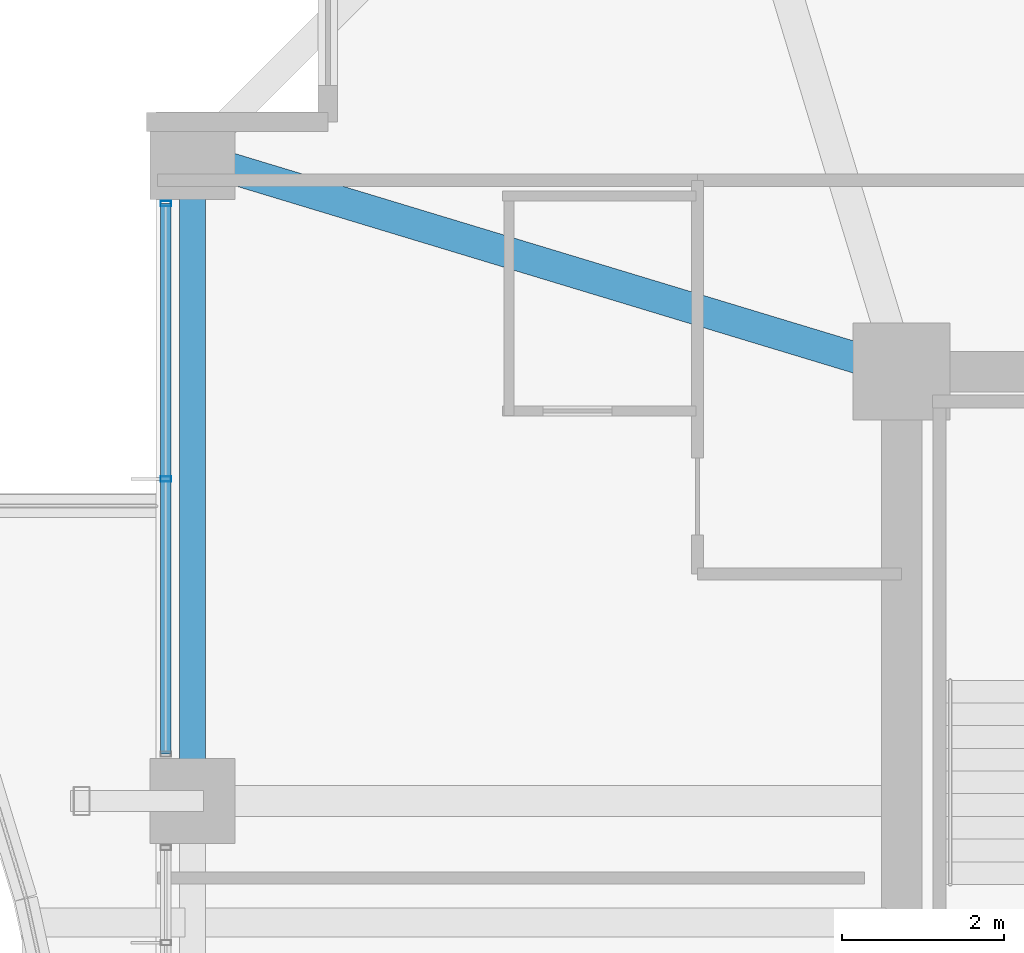
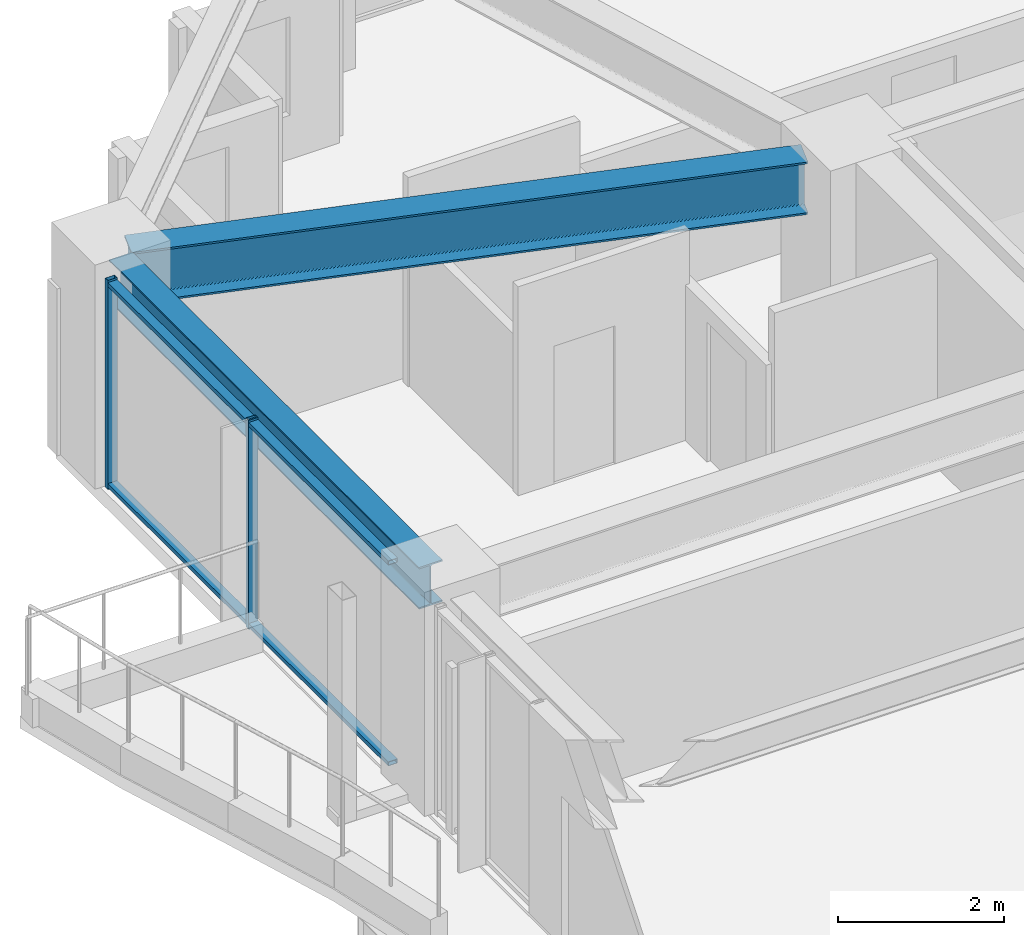
# One storey, part 11 of 35: 4 members, 2 beams, 1 element without a shape of its own.
"""IFC4 building model written with IfcOpenShell, lengths in metres."""

from ifc_helpers import new_model, si_unit, direction, frame, origin, origin_2d, place, context, subcontext, project, spatial, hollow_rectangle, i_section, extrude, material, material_profile, profile_set, type_object, element, aggregate, save


model = new_model("IFC4")

# Units and contexts
model_context = context("Model", 3, precision=1e-05, world=origin(), true_north=direction((0.0, 1.0)))
body_context = subcontext(model_context, "Body", "Model", "MODEL_VIEW")
ifc_project = project(units=[si_unit("LENGTHUNIT", "METRE"), si_unit("AREAUNIT", "SQUARE_METRE"), si_unit("VOLUMEUNIT", "CUBIC_METRE"), si_unit("PLANEANGLEUNIT", "RADIAN"), si_unit("MASSUNIT", "GRAM", prefix="KILO")], contexts=[model_context])

# Site, building, storey
site_placement = place(None, origin())
site = spatial("IfcSite", under=ifc_project, at=site_placement, CompositionType="ELEMENT")
building_placement = place(site_placement, origin())
building = spatial("IfcBuilding", under=site, at=building_placement, Name="Kolvaren Belvedere", CompositionType="ELEMENT")
storey_placement = place(building_placement, frame((0.0, 0.0, 115.10009765625)))
storey = spatial("IfcBuildingStorey", under=building, at=storey_placement, Name="L33", CompositionType="ELEMENT", Elevation=115.10009765625)

# Beams
ifc_material_1 = material(Name="Structural steel ASTM A992 Grade 50", Category="steel")
ifc_material_profile_1 = material_profile(ifc_material_1, i_section(OverallWidth=0.381103515625, OverallDepth=0.77294921875, WebThickness=0.0166015625, FlangeThickness=0.027099609375, FilletRadius=0.02392578125, at=origin_2d()), Name="W30X173")
ifc_profile_set_1 = profile_set([ifc_material_profile_1], Name="Structural steel ASTM A992 Grade 50")
beam_type_1 = type_object("IfcBeamType", Name="BM-GIRD-W30X173", PredefinedType="BEAM", material=ifc_profile_set_1)
beam_1_placement = place(storey_placement, frame((-10.426513671875, 10.059326171875, 2.693359375), z_axis=(-0.957069465398, 0.289858652454, 0.0), x_axis=(-0.289858652454, -0.957069465398, 0.0)))
element("IfcBeam", 1, at=beam_1_placement, inside=storey, type_object=beam_type_1, Name="L33 Corner Core-to-Perimeter Girder CC4-W4", PredefinedType="BEAM", context=body_context, shape_type="SweptSolid", body=[
    extrude(i_section(OverallWidth=0.381103515625, OverallDepth=0.77294921875, WebThickness=0.0166015625, FlangeThickness=0.027099609375, FilletRadius=0.02392578125, at=origin_2d()), origin(), (0.0, 0.0, 1.0), 8.38232421875),
])
ifc_material_2 = material(Name="Structural steel ASTM A992 Grade 50", Category="steel")
ifc_material_profile_2 = material_profile(ifc_material_2, i_section(OverallWidth=0.324951171875, OverallDepth=0.615966796875, WebThickness=0.013916015625, FlangeThickness=0.021484375, FilletRadius=0.02001953125, at=origin_2d()), Name="W24X117")
ifc_profile_set_2 = profile_set([ifc_material_profile_2], Name="Structural steel ASTM A992 Grade 50")
beam_type_2 = type_object("IfcBeamType", Name="BM-SPAN-W24X117", PredefinedType="SPANDREL", material=ifc_profile_set_2)
beam_2_placement = place(storey_placement, frame((-18.64990234375, 12.313720703125, 2.77197265625), z_axis=(0.0, -1.0, 0.0), x_axis=(1.0, 0.0, 0.0)))
element("IfcBeam", 2, at=beam_2_placement, inside=storey, type_object=beam_type_2, Name="L33 Perimeter Spandrel W4-W3", PredefinedType="SPANDREL", context=body_context, shape_type="SweptSolid", body=[
    extrude(i_section(OverallWidth=0.324951171875, OverallDepth=0.615966796875, WebThickness=0.013916015625, FlangeThickness=0.021484375, FilletRadius=0.02001953125, at=origin_2d()), origin(), (0.0, 0.0, 1.0), 7.4775390625),
])

# Curtain wall, members
ifc_material_3 = material(Name="Anodised pale-metal aluminium AA 6063-T6", Category="aluminium")
curtain_wall_type = type_object("IfcCurtainWallType", Name="CW-Z3-WAIST", PredefinedType="NOTDEFINED", material=ifc_material_3)
curtain_wall_placement = place(storey_placement, origin())
curtain_wall = element("IfcCurtainWall", 3, at=curtain_wall_placement, inside=storey, type_object=curtain_wall_type, Name="L33 Unitised Curtain Wall FCW-L33-W2-B2", PredefinedType="NOTDEFINED")
ifc_material_4 = material(Name="Anodised pale-metal aluminium AA 6063-T6", Category="aluminium")
ifc_material_profile_3 = material_profile(ifc_material_4, hollow_rectangle(XDim=0.06494140625, YDim=0.1298828125, WallThickness=0.00390625, at=origin_2d()), Name="ALU-MUL-130X65")
ifc_profile_set_3 = profile_set([ifc_material_profile_3], Name="Anodised pale-metal aluminium AA 6063-T6")
member_type_1 = type_object("IfcMemberType", Name="CW-MUL-130", PredefinedType="MULLION", material=ifc_profile_set_3)
member_1_placement = place(storey_placement, frame((-18.97998046875, 8.574951171875, 0.0), z_axis=(0.0, 0.0, 1.0), x_axis=(0.0, 1.0, 0.0)))
member_1 = element("IfcMember", 4, at=member_1_placement, type_object=member_type_1, Name="FCW-L33-W2-B2 Unitised Mullion 2", PredefinedType="MULLION", context=body_context, shape_type="SweptSolid", body=[
    extrude(hollow_rectangle(XDim=0.06494140625, YDim=0.1298828125, WallThickness=0.00390625, at=origin_2d()), origin(), (0.0, 0.0, 1.0), 3.079833984375),
])
member_2_placement = place(storey_placement, frame((-18.97998046875, 11.972412109375, 0.0), z_axis=(0.0, 0.0, 1.0), x_axis=(0.0, 1.0, 0.0)))
member_2 = element("IfcMember", 5, at=member_2_placement, type_object=member_type_1, Name="FCW-L33-W2-B2 Unitised Mullion 3", PredefinedType="MULLION", context=body_context, shape_type="SweptSolid", body=[
    extrude(hollow_rectangle(XDim=0.06494140625, YDim=0.1298828125, WallThickness=0.00390625, at=origin_2d()), origin(), (0.0, 0.0, 1.0), 3.079833984375),
])
ifc_material_5 = material(Name="Anodised pale-metal aluminium AA 6063-T6", Category="aluminium")
ifc_material_profile_4 = material_profile(ifc_material_5, hollow_rectangle(XDim=0.06005859375, YDim=0.1298828125, WallThickness=0.00390625, at=origin_2d()), Name="ALU-TRN-130X60")
ifc_profile_set_4 = profile_set([ifc_material_profile_4], Name="Anodised pale-metal aluminium AA 6063-T6")
member_type_2 = type_object("IfcMemberType", Name="CW-TRN-130", PredefinedType="USERDEFINED", material=ifc_profile_set_4)
member_3_placement = place(storey_placement, frame((-18.97998046875, 5.177490234375, 0.059814453125), z_axis=(0.0, 1.0, 0.0), x_axis=(0.0, 0.0, 1.0)))
member_3 = element("IfcMember", 6, at=member_3_placement, type_object=member_type_2, Name="FCW-L33-W2-B2 Sill Transom", ObjectType="TRANSOM", PredefinedType="USERDEFINED", context=body_context, shape_type="SweptSolid", body=[
    extrude(hollow_rectangle(XDim=0.06005859375, YDim=0.1298828125, WallThickness=0.00390625, at=origin_2d()), origin(), (0.0, 0.0, 1.0), 6.794921875),
])
member_4_placement = place(storey_placement, frame((-18.97998046875, 5.177490234375, 3.02001953125), z_axis=(0.0, 1.0, 0.0), x_axis=(0.0, 0.0, 1.0)))
member_4 = element("IfcMember", 7, at=member_4_placement, type_object=member_type_2, Name="FCW-L33-W2-B2 Head Transom", ObjectType="TRANSOM", PredefinedType="USERDEFINED", context=body_context, shape_type="SweptSolid", body=[
    extrude(hollow_rectangle(XDim=0.06005859375, YDim=0.1298828125, WallThickness=0.00390625, at=origin_2d()), origin(), (0.0, 0.0, 1.0), 6.794921875),
])
aggregate(curtain_wall, [member_1, member_2, member_3, member_4])

save(model, "model.ifc")
